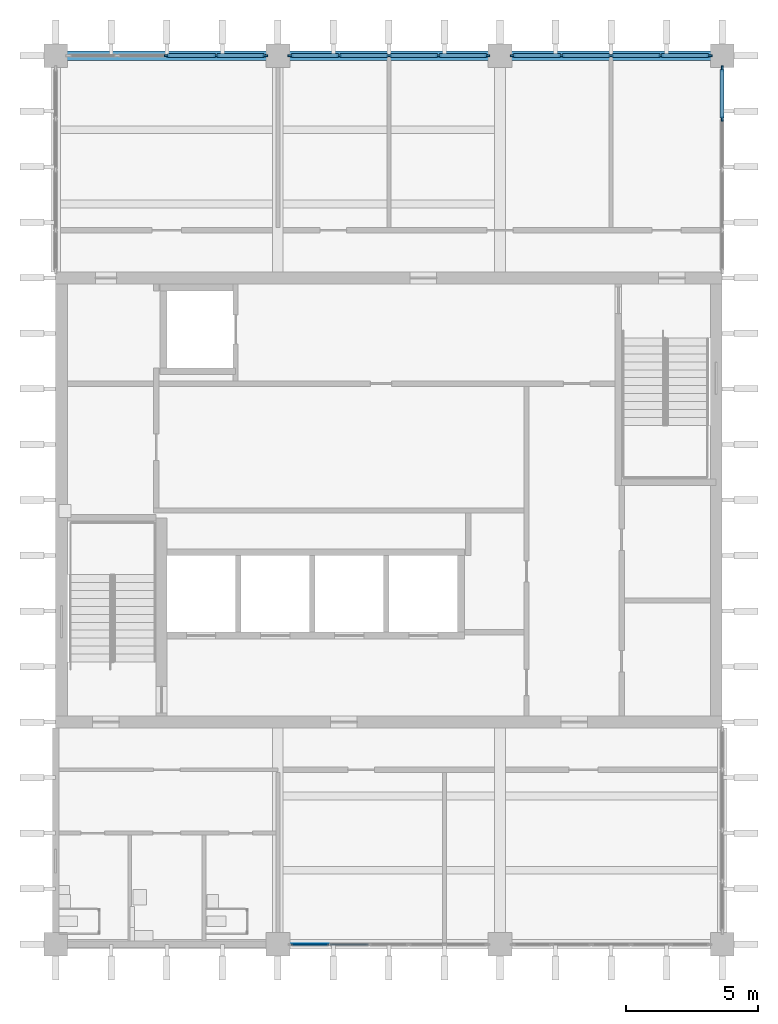
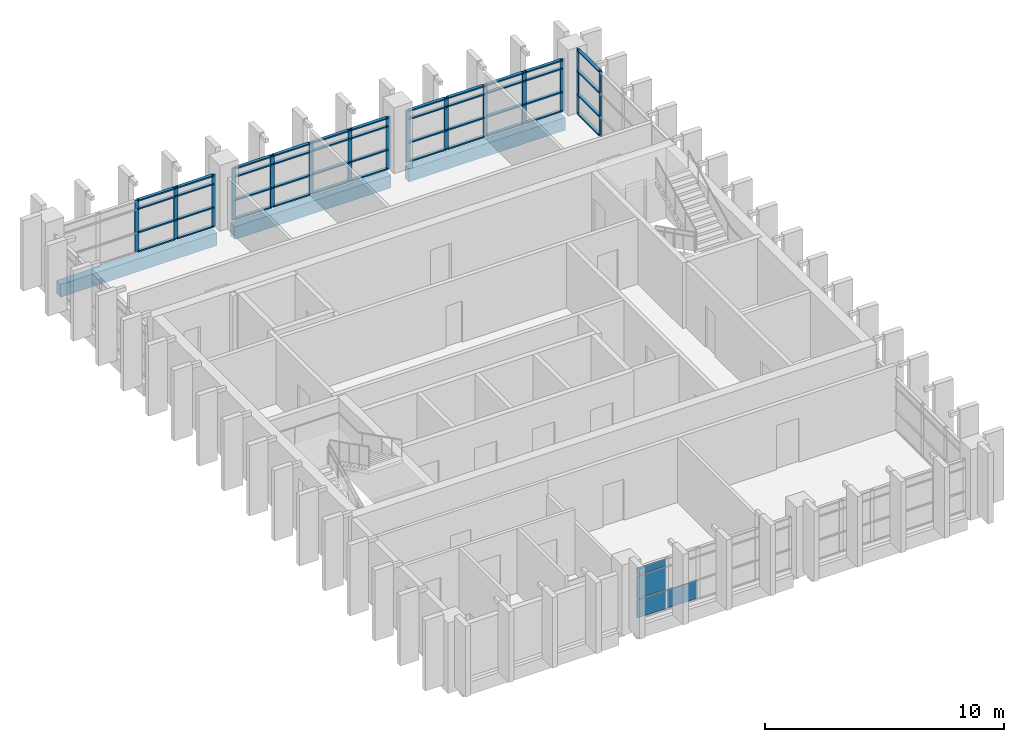
# One storey, part 4 of 10: 59 members, 4 plates, 3 beams, 5 elements without a shape of their own.
"""IFC4 building model written with IfcOpenShell, lengths in metres."""

from ifc_helpers import new_model, si_unit, direction, frame, origin, origin_2d, place, context, subcontext, project, spatial, rectangle, extrude, material, layer, layer_set, material_profile, profile_set, type_object, element, aggregate, save


model = new_model("IFC4")

# Units and contexts
model_context = context("Model", 3, precision=1e-05, world=origin(), true_north=direction((0.0, 1.0)))
body_context = subcontext(model_context, "Body", "Model", "MODEL_VIEW")
ifc_project = project(units=[si_unit("LENGTHUNIT", "METRE"), si_unit("AREAUNIT", "SQUARE_METRE"), si_unit("VOLUMEUNIT", "CUBIC_METRE"), si_unit("PLANEANGLEUNIT", "RADIAN"), si_unit("MASSUNIT", "GRAM", prefix="KILO")], contexts=[model_context])

# Site, building, storey
site_placement = place(None, origin())
site = spatial("IfcSite", under=ifc_project, at=site_placement, CompositionType="ELEMENT")
building_placement = place(site_placement, origin())
building = spatial("IfcBuilding", under=site, at=building_placement, Name="Rulbaag Community and Learning Centre", CompositionType="ELEMENT")
storey_placement = place(building_placement, frame((0.0, 0.0, 28.800048828125)))
storey = spatial("IfcBuildingStorey", under=building, at=storey_placement, Name="L07", CompositionType="ELEMENT", Elevation=28.800048828125)

# Beams
ifc_material_1 = material(Name="Concrete M40", Category="concrete")
ifc_material_profile_1 = material_profile(ifc_material_1, rectangle(XDim=0.35009765625, YDim=0.64990234375, at=origin_2d()), Name="RB350x650")
ifc_profile_set_1 = profile_set([ifc_material_profile_1], Name="Concrete M40")
beam_type = type_object("IfcBeamType", Name="B14 Tower edge beam, upper zone 350x650 Concrete M40", PredefinedType="BEAM", material=ifc_profile_set_1)
for number, where, z_axis, x_axis, name in (
    (1, (143.22998046875, 117.60009765625, -0.574951171875), (1.0, 0.0, 0.0), (0.0, 1.0, 0.0), "BM-L07-18O-19O"),
    (2, (151.6298828125, 117.60009765625, -0.574951171875), (1.0, 0.0, 0.0), (0.0, 1.0, 0.0), "BM-L07-19O-20O"),
    (3, (160.030029296875, 117.60009765625, -0.574951171875), (1.0, 0.0, 0.0), (0.0, 1.0, 0.0), "BM-L07-20O-21O"),
):
    element("IfcBeam", number, at=place(storey_placement, frame(where, z_axis=z_axis, x_axis=x_axis)), inside=storey, type_object=beam_type, Name=name, PredefinedType="BEAM", context=body_context, shape_type="SweptSolid", body=[
        extrude(rectangle(XDim=0.35009765625, YDim=0.64990234375, at=origin_2d()), origin(), (0.0, 0.0, 1.0), 7.5400390625),
    ])

# Curtain wall, members
ifc_material_2 = material(Name="Aluminium", Category="aluminium")
ifc_layer_1 = layer(ifc_material_2, 0.14990234375)
ifc_layer_set_1 = layer_set([ifc_layer_1], Name="CW-T")
curtain_wall_type_1 = type_object("IfcCurtainWallType", Name="CW-T", PredefinedType="USERDEFINED", material=ifc_layer_set_1)
curtain_wall_1_placement = place(storey_placement, origin())
curtain_wall_1 = element("IfcCurtainWall", 4, at=curtain_wall_1_placement, inside=storey, type_object=curtain_wall_type_1, Name="GT-L07-01", ObjectType="UNITISED CURTAIN WALL", PredefinedType="USERDEFINED")
ifc_material_3 = material(Name="Aluminium mullion", Category="aluminium")
ifc_material_profile_2 = material_profile(ifc_material_3, rectangle(XDim=0.06494140625, YDim=0.199951171875, at=origin_2d()), Name="AL 65x200")
ifc_profile_set_2 = profile_set([ifc_material_profile_2], Name="Aluminium mullion")
member_type_1 = type_object("IfcMemberType", Name="CW-T-MUL", PredefinedType="MULLION", material=ifc_profile_set_2)
member_1_placement = place(storey_placement, frame((147.0, 117.60009765625, 0.0), z_axis=(0.0, 0.0, 1.0), x_axis=(0.0, 1.0, 0.0)))
member_1 = element("IfcMember", 5, at=member_1_placement, type_object=member_type_1, Name="GT mullion 3", PredefinedType="MULLION", context=body_context, shape_type="SweptSolid", body=[
    extrude(rectangle(XDim=0.06494140625, YDim=0.199951171875, at=origin_2d()), origin(), (0.0, 0.0, 1.0), 2.64990234375),
])
member_2_placement = place(storey_placement, frame((148.875, 117.60009765625, 0.0), z_axis=(0.0, 0.0, 1.0), x_axis=(0.0, 1.0, 0.0)))
member_2 = element("IfcMember", 6, at=member_2_placement, type_object=member_type_1, Name="GT mullion 4", PredefinedType="MULLION", context=body_context, shape_type="SweptSolid", body=[
    extrude(rectangle(XDim=0.06494140625, YDim=0.199951171875, at=origin_2d()), origin(), (0.0, 0.0, 1.0), 2.64990234375),
])
member_3_placement = place(storey_placement, frame((150.717529296875, 117.60009765625, 0.0), z_axis=(0.0, 0.0, 1.0), x_axis=(0.0, 1.0, 0.0)))
member_3 = element("IfcMember", 7, at=member_3_placement, type_object=member_type_1, Name="GT mullion 5", PredefinedType="MULLION", context=body_context, shape_type="SweptSolid", body=[
    extrude(rectangle(XDim=0.06494140625, YDim=0.199951171875, at=origin_2d()), origin(), (0.0, 0.0, 1.0), 2.64990234375),
])

curtain_wall_2_placement = place(storey_placement, origin())
curtain_wall_2 = element("IfcCurtainWall", 8, at=curtain_wall_2_placement, inside=storey, type_object=curtain_wall_type_1, Name="GT-L07-02", ObjectType="UNITISED CURTAIN WALL", PredefinedType="USERDEFINED")
member_4_placement = place(storey_placement, frame((151.6826171875, 117.60009765625, 0.0), z_axis=(0.0, 0.0, 1.0), x_axis=(0.0, 1.0, 0.0)))
member_4 = element("IfcMember", 9, at=member_4_placement, type_object=member_type_1, Name="GT mullion 1", PredefinedType="MULLION", context=body_context, shape_type="SweptSolid", body=[
    extrude(rectangle(XDim=0.06494140625, YDim=0.199951171875, at=origin_2d()), origin(), (0.0, 0.0, 1.0), 2.64990234375),
])
member_5_placement = place(storey_placement, frame((153.52490234375, 117.60009765625, 0.0), z_axis=(0.0, 0.0, 1.0), x_axis=(0.0, 1.0, 0.0)))
member_5 = element("IfcMember", 10, at=member_5_placement, type_object=member_type_1, Name="GT mullion 2", PredefinedType="MULLION", context=body_context, shape_type="SweptSolid", body=[
    extrude(rectangle(XDim=0.06494140625, YDim=0.199951171875, at=origin_2d()), origin(), (0.0, 0.0, 1.0), 2.64990234375),
])
member_6_placement = place(storey_placement, frame((155.39990234375, 117.60009765625, 0.0), z_axis=(0.0, 0.0, 1.0), x_axis=(0.0, 1.0, 0.0)))
member_6 = element("IfcMember", 11, at=member_6_placement, type_object=member_type_1, Name="GT mullion 3", PredefinedType="MULLION", context=body_context, shape_type="SweptSolid", body=[
    extrude(rectangle(XDim=0.06494140625, YDim=0.199951171875, at=origin_2d()), origin(), (0.0, 0.0, 1.0), 2.64990234375),
])
member_7_placement = place(storey_placement, frame((157.27490234375, 117.60009765625, 0.0), z_axis=(0.0, 0.0, 1.0), x_axis=(0.0, 1.0, 0.0)))
member_7 = element("IfcMember", 12, at=member_7_placement, type_object=member_type_1, Name="GT mullion 4", PredefinedType="MULLION", context=body_context, shape_type="SweptSolid", body=[
    extrude(rectangle(XDim=0.06494140625, YDim=0.199951171875, at=origin_2d()), origin(), (0.0, 0.0, 1.0), 2.64990234375),
])
member_8_placement = place(storey_placement, frame((159.117431640625, 117.60009765625, 0.0), z_axis=(0.0, 0.0, 1.0), x_axis=(0.0, 1.0, 0.0)))
member_8 = element("IfcMember", 13, at=member_8_placement, type_object=member_type_1, Name="GT mullion 5", PredefinedType="MULLION", context=body_context, shape_type="SweptSolid", body=[
    extrude(rectangle(XDim=0.06494140625, YDim=0.199951171875, at=origin_2d()), origin(), (0.0, 0.0, 1.0), 2.64990234375),
])

curtain_wall_3_placement = place(storey_placement, origin())
curtain_wall_3 = element("IfcCurtainWall", 14, at=curtain_wall_3_placement, inside=storey, type_object=curtain_wall_type_1, Name="GT-L07-03", ObjectType="UNITISED CURTAIN WALL", PredefinedType="USERDEFINED")
member_9_placement = place(storey_placement, frame((160.08251953125, 117.60009765625, 0.0), z_axis=(0.0, 0.0, 1.0), x_axis=(0.0, 1.0, 0.0)))
member_9 = element("IfcMember", 15, at=member_9_placement, type_object=member_type_1, Name="GT mullion 1", PredefinedType="MULLION", context=body_context, shape_type="SweptSolid", body=[
    extrude(rectangle(XDim=0.06494140625, YDim=0.199951171875, at=origin_2d()), origin(), (0.0, 0.0, 1.0), 2.64990234375),
])
member_10_placement = place(storey_placement, frame((161.925048828125, 117.60009765625, 0.0), z_axis=(0.0, 0.0, 1.0), x_axis=(0.0, 1.0, 0.0)))
member_10 = element("IfcMember", 16, at=member_10_placement, type_object=member_type_1, Name="GT mullion 2", PredefinedType="MULLION", context=body_context, shape_type="SweptSolid", body=[
    extrude(rectangle(XDim=0.06494140625, YDim=0.199951171875, at=origin_2d()), origin(), (0.0, 0.0, 1.0), 2.64990234375),
])
member_11_placement = place(storey_placement, frame((163.800048828125, 117.60009765625, 0.0), z_axis=(0.0, 0.0, 1.0), x_axis=(0.0, 1.0, 0.0)))
member_11 = element("IfcMember", 17, at=member_11_placement, type_object=member_type_1, Name="GT mullion 3", PredefinedType="MULLION", context=body_context, shape_type="SweptSolid", body=[
    extrude(rectangle(XDim=0.06494140625, YDim=0.199951171875, at=origin_2d()), origin(), (0.0, 0.0, 1.0), 2.64990234375),
])
member_12_placement = place(storey_placement, frame((165.675048828125, 117.60009765625, 0.0), z_axis=(0.0, 0.0, 1.0), x_axis=(0.0, 1.0, 0.0)))
member_12 = element("IfcMember", 18, at=member_12_placement, type_object=member_type_1, Name="GT mullion 4", PredefinedType="MULLION", context=body_context, shape_type="SweptSolid", body=[
    extrude(rectangle(XDim=0.06494140625, YDim=0.199951171875, at=origin_2d()), origin(), (0.0, 0.0, 1.0), 2.64990234375),
])
member_13_placement = place(storey_placement, frame((167.517578125, 117.60009765625, 0.0), z_axis=(0.0, 0.0, 1.0), x_axis=(0.0, 1.0, 0.0)))
member_13 = element("IfcMember", 19, at=member_13_placement, type_object=member_type_1, Name="GT mullion 5", PredefinedType="MULLION", context=body_context, shape_type="SweptSolid", body=[
    extrude(rectangle(XDim=0.06494140625, YDim=0.199951171875, at=origin_2d()), origin(), (0.0, 0.0, 1.0), 2.64990234375),
])

curtain_wall_4_placement = place(storey_placement, origin())
curtain_wall_4 = element("IfcCurtainWall", 20, at=curtain_wall_4_placement, inside=storey, type_object=curtain_wall_type_1, Name="GT-L07-06", ObjectType="UNITISED CURTAIN WALL", PredefinedType="USERDEFINED")
member_14_placement = place(storey_placement, frame((168.0, 115.21875, 0.0), z_axis=(0.0, 0.0, 1.0), x_axis=(-1.0, 0.0, 0.0)))
member_14 = element("IfcMember", 21, at=member_14_placement, type_object=member_type_1, Name="GT mullion 4", PredefinedType="MULLION", context=body_context, shape_type="SweptSolid", body=[
    extrude(rectangle(XDim=0.06494140625, YDim=0.199951171875, at=origin_2d()), origin(), (0.0, 0.0, 1.0), 3.300048828125),
])
member_15_placement = place(storey_placement, frame((168.0, 117.117431640625, 0.0), z_axis=(0.0, 0.0, 1.0), x_axis=(-1.0, 0.0, 0.0)))
member_15 = element("IfcMember", 22, at=member_15_placement, type_object=member_type_1, Name="GT mullion 5", PredefinedType="MULLION", context=body_context, shape_type="SweptSolid", body=[
    extrude(rectangle(XDim=0.06494140625, YDim=0.199951171875, at=origin_2d()), origin(), (0.0, 0.0, 1.0), 3.300048828125),
])

# Member
ifc_material_4 = material(Name="Aluminium transom", Category="aluminium")
ifc_material_profile_3 = material_profile(ifc_material_4, rectangle(XDim=0.14990234375, YDim=0.06494140625, at=origin_2d()), Name="AL 65x150 T")
ifc_profile_set_3 = profile_set([ifc_material_profile_3], Name="Aluminium transom")
member_type_2 = type_object("IfcMemberType", Name="CW-T-TRN", PredefinedType="USERDEFINED", material=ifc_profile_set_3)
member_16_placement = place(storey_placement, frame((147.032470703125, 117.60009765625, 0.032470703125), z_axis=(1.0, 0.0, 0.0), x_axis=(0.0, 1.0, 0.0)))
member_16 = element("IfcMember", 23, at=member_16_placement, type_object=member_type_2, Name="GT transom 3.1", ObjectType="TRANSOM", PredefinedType="USERDEFINED", context=body_context, shape_type="SweptSolid", body=[
    extrude(rectangle(XDim=0.14990234375, YDim=0.06494140625, at=origin_2d()), origin(), (0.0, 0.0, 1.0), 1.81005859375),
])

member_17_placement = place(storey_placement, frame((147.032470703125, 117.60009765625, 1.0), z_axis=(1.0, 0.0, 0.0), x_axis=(0.0, 1.0, 0.0)))
member_17 = element("IfcMember", 24, at=member_17_placement, type_object=member_type_2, Name="GT transom 3.2", ObjectType="TRANSOM", PredefinedType="USERDEFINED", context=body_context, shape_type="SweptSolid", body=[
    extrude(rectangle(XDim=0.14990234375, YDim=0.06494140625, at=origin_2d()), origin(), (0.0, 0.0, 1.0), 1.81005859375),
])

member_18_placement = place(storey_placement, frame((147.032470703125, 117.60009765625, 2.199951171875), z_axis=(1.0, 0.0, 0.0), x_axis=(0.0, 1.0, 0.0)))
member_18 = element("IfcMember", 25, at=member_18_placement, type_object=member_type_2, Name="GT transom 3.3", ObjectType="TRANSOM", PredefinedType="USERDEFINED", context=body_context, shape_type="SweptSolid", body=[
    extrude(rectangle(XDim=0.14990234375, YDim=0.06494140625, at=origin_2d()), origin(), (0.0, 0.0, 1.0), 1.81005859375),
])

member_19_placement = place(storey_placement, frame((147.032470703125, 117.60009765625, 2.617431640625), z_axis=(1.0, 0.0, 0.0), x_axis=(0.0, 1.0, 0.0)))
member_19 = element("IfcMember", 26, at=member_19_placement, type_object=member_type_2, Name="GT transom 3.4", ObjectType="TRANSOM", PredefinedType="USERDEFINED", context=body_context, shape_type="SweptSolid", body=[
    extrude(rectangle(XDim=0.14990234375, YDim=0.06494140625, at=origin_2d()), origin(), (0.0, 0.0, 1.0), 1.81005859375),
])

member_20_placement = place(storey_placement, frame((148.907470703125, 117.60009765625, 0.032470703125), z_axis=(1.0, 0.0, 0.0), x_axis=(0.0, 1.0, 0.0)))
member_20 = element("IfcMember", 27, at=member_20_placement, type_object=member_type_2, Name="GT transom 4.1", ObjectType="TRANSOM", PredefinedType="USERDEFINED", context=body_context, shape_type="SweptSolid", body=[
    extrude(rectangle(XDim=0.14990234375, YDim=0.06494140625, at=origin_2d()), origin(), (0.0, 0.0, 1.0), 1.777587890625),
])

member_21_placement = place(storey_placement, frame((148.907470703125, 117.60009765625, 1.0), z_axis=(1.0, 0.0, 0.0), x_axis=(0.0, 1.0, 0.0)))
member_21 = element("IfcMember", 28, at=member_21_placement, type_object=member_type_2, Name="GT transom 4.2", ObjectType="TRANSOM", PredefinedType="USERDEFINED", context=body_context, shape_type="SweptSolid", body=[
    extrude(rectangle(XDim=0.14990234375, YDim=0.06494140625, at=origin_2d()), origin(), (0.0, 0.0, 1.0), 1.777587890625),
])

member_22_placement = place(storey_placement, frame((148.907470703125, 117.60009765625, 2.199951171875), z_axis=(1.0, 0.0, 0.0), x_axis=(0.0, 1.0, 0.0)))
member_22 = element("IfcMember", 29, at=member_22_placement, type_object=member_type_2, Name="GT transom 4.3", ObjectType="TRANSOM", PredefinedType="USERDEFINED", context=body_context, shape_type="SweptSolid", body=[
    extrude(rectangle(XDim=0.14990234375, YDim=0.06494140625, at=origin_2d()), origin(), (0.0, 0.0, 1.0), 1.777587890625),
])

member_23_placement = place(storey_placement, frame((148.907470703125, 117.60009765625, 2.617431640625), z_axis=(1.0, 0.0, 0.0), x_axis=(0.0, 1.0, 0.0)))
member_23 = element("IfcMember", 30, at=member_23_placement, type_object=member_type_2, Name="GT transom 4.4", ObjectType="TRANSOM", PredefinedType="USERDEFINED", context=body_context, shape_type="SweptSolid", body=[
    extrude(rectangle(XDim=0.14990234375, YDim=0.06494140625, at=origin_2d()), origin(), (0.0, 0.0, 1.0), 1.777587890625),
])

aggregate(curtain_wall_1, [member_1, member_2, member_3, member_16, member_17, member_18, member_19, member_20, member_21, member_22, member_23])

member_24_placement = place(storey_placement, frame((151.715087890625, 117.60009765625, 0.032470703125), z_axis=(1.0, 0.0, 0.0), x_axis=(0.0, 1.0, 0.0)))
member_24 = element("IfcMember", 31, at=member_24_placement, type_object=member_type_2, Name="GT transom 1.1", ObjectType="TRANSOM", PredefinedType="USERDEFINED", context=body_context, shape_type="SweptSolid", body=[
    extrude(rectangle(XDim=0.14990234375, YDim=0.06494140625, at=origin_2d()), origin(), (0.0, 0.0, 1.0), 1.77734375),
])

member_25_placement = place(storey_placement, frame((151.715087890625, 117.60009765625, 1.0), z_axis=(1.0, 0.0, 0.0), x_axis=(0.0, 1.0, 0.0)))
member_25 = element("IfcMember", 32, at=member_25_placement, type_object=member_type_2, Name="GT transom 1.2", ObjectType="TRANSOM", PredefinedType="USERDEFINED", context=body_context, shape_type="SweptSolid", body=[
    extrude(rectangle(XDim=0.14990234375, YDim=0.06494140625, at=origin_2d()), origin(), (0.0, 0.0, 1.0), 1.77734375),
])

member_26_placement = place(storey_placement, frame((151.715087890625, 117.60009765625, 2.199951171875), z_axis=(1.0, 0.0, 0.0), x_axis=(0.0, 1.0, 0.0)))
member_26 = element("IfcMember", 33, at=member_26_placement, type_object=member_type_2, Name="GT transom 1.3", ObjectType="TRANSOM", PredefinedType="USERDEFINED", context=body_context, shape_type="SweptSolid", body=[
    extrude(rectangle(XDim=0.14990234375, YDim=0.06494140625, at=origin_2d()), origin(), (0.0, 0.0, 1.0), 1.77734375),
])

member_27_placement = place(storey_placement, frame((151.715087890625, 117.60009765625, 2.617431640625), z_axis=(1.0, 0.0, 0.0), x_axis=(0.0, 1.0, 0.0)))
member_27 = element("IfcMember", 34, at=member_27_placement, type_object=member_type_2, Name="GT transom 1.4", ObjectType="TRANSOM", PredefinedType="USERDEFINED", context=body_context, shape_type="SweptSolid", body=[
    extrude(rectangle(XDim=0.14990234375, YDim=0.06494140625, at=origin_2d()), origin(), (0.0, 0.0, 1.0), 1.77734375),
])

member_28_placement = place(storey_placement, frame((153.5576171875, 117.60009765625, 0.032470703125), z_axis=(1.0, 0.0, 0.0), x_axis=(0.0, 1.0, 0.0)))
member_28 = element("IfcMember", 35, at=member_28_placement, type_object=member_type_2, Name="GT transom 2.1", ObjectType="TRANSOM", PredefinedType="USERDEFINED", context=body_context, shape_type="SweptSolid", body=[
    extrude(rectangle(XDim=0.14990234375, YDim=0.06494140625, at=origin_2d()), origin(), (0.0, 0.0, 1.0), 1.809814453125),
])

member_29_placement = place(storey_placement, frame((153.5576171875, 117.60009765625, 1.0), z_axis=(1.0, 0.0, 0.0), x_axis=(0.0, 1.0, 0.0)))
member_29 = element("IfcMember", 36, at=member_29_placement, type_object=member_type_2, Name="GT transom 2.2", ObjectType="TRANSOM", PredefinedType="USERDEFINED", context=body_context, shape_type="SweptSolid", body=[
    extrude(rectangle(XDim=0.14990234375, YDim=0.06494140625, at=origin_2d()), origin(), (0.0, 0.0, 1.0), 1.809814453125),
])

member_30_placement = place(storey_placement, frame((153.5576171875, 117.60009765625, 2.199951171875), z_axis=(1.0, 0.0, 0.0), x_axis=(0.0, 1.0, 0.0)))
member_30 = element("IfcMember", 37, at=member_30_placement, type_object=member_type_2, Name="GT transom 2.3", ObjectType="TRANSOM", PredefinedType="USERDEFINED", context=body_context, shape_type="SweptSolid", body=[
    extrude(rectangle(XDim=0.14990234375, YDim=0.06494140625, at=origin_2d()), origin(), (0.0, 0.0, 1.0), 1.809814453125),
])

member_31_placement = place(storey_placement, frame((153.5576171875, 117.60009765625, 2.617431640625), z_axis=(1.0, 0.0, 0.0), x_axis=(0.0, 1.0, 0.0)))
member_31 = element("IfcMember", 38, at=member_31_placement, type_object=member_type_2, Name="GT transom 2.4", ObjectType="TRANSOM", PredefinedType="USERDEFINED", context=body_context, shape_type="SweptSolid", body=[
    extrude(rectangle(XDim=0.14990234375, YDim=0.06494140625, at=origin_2d()), origin(), (0.0, 0.0, 1.0), 1.809814453125),
])

member_32_placement = place(storey_placement, frame((155.4326171875, 117.60009765625, 0.032470703125), z_axis=(1.0, 0.0, 0.0), x_axis=(0.0, 1.0, 0.0)))
member_32 = element("IfcMember", 39, at=member_32_placement, type_object=member_type_2, Name="GT transom 3.1", ObjectType="TRANSOM", PredefinedType="USERDEFINED", context=body_context, shape_type="SweptSolid", body=[
    extrude(rectangle(XDim=0.14990234375, YDim=0.06494140625, at=origin_2d()), origin(), (0.0, 0.0, 1.0), 1.809814453125),
])

member_33_placement = place(storey_placement, frame((155.4326171875, 117.60009765625, 1.0), z_axis=(1.0, 0.0, 0.0), x_axis=(0.0, 1.0, 0.0)))
member_33 = element("IfcMember", 40, at=member_33_placement, type_object=member_type_2, Name="GT transom 3.2", ObjectType="TRANSOM", PredefinedType="USERDEFINED", context=body_context, shape_type="SweptSolid", body=[
    extrude(rectangle(XDim=0.14990234375, YDim=0.06494140625, at=origin_2d()), origin(), (0.0, 0.0, 1.0), 1.809814453125),
])

member_34_placement = place(storey_placement, frame((155.4326171875, 117.60009765625, 2.199951171875), z_axis=(1.0, 0.0, 0.0), x_axis=(0.0, 1.0, 0.0)))
member_34 = element("IfcMember", 41, at=member_34_placement, type_object=member_type_2, Name="GT transom 3.3", ObjectType="TRANSOM", PredefinedType="USERDEFINED", context=body_context, shape_type="SweptSolid", body=[
    extrude(rectangle(XDim=0.14990234375, YDim=0.06494140625, at=origin_2d()), origin(), (0.0, 0.0, 1.0), 1.809814453125),
])

member_35_placement = place(storey_placement, frame((155.4326171875, 117.60009765625, 2.617431640625), z_axis=(1.0, 0.0, 0.0), x_axis=(0.0, 1.0, 0.0)))
member_35 = element("IfcMember", 42, at=member_35_placement, type_object=member_type_2, Name="GT transom 3.4", ObjectType="TRANSOM", PredefinedType="USERDEFINED", context=body_context, shape_type="SweptSolid", body=[
    extrude(rectangle(XDim=0.14990234375, YDim=0.06494140625, at=origin_2d()), origin(), (0.0, 0.0, 1.0), 1.809814453125),
])

member_36_placement = place(storey_placement, frame((157.3076171875, 117.60009765625, 0.032470703125), z_axis=(1.0, 0.0, 0.0), x_axis=(0.0, 1.0, 0.0)))
member_36 = element("IfcMember", 43, at=member_36_placement, type_object=member_type_2, Name="GT transom 4.1", ObjectType="TRANSOM", PredefinedType="USERDEFINED", context=body_context, shape_type="SweptSolid", body=[
    extrude(rectangle(XDim=0.14990234375, YDim=0.06494140625, at=origin_2d()), origin(), (0.0, 0.0, 1.0), 1.77734375),
])

member_37_placement = place(storey_placement, frame((157.3076171875, 117.60009765625, 1.0), z_axis=(1.0, 0.0, 0.0), x_axis=(0.0, 1.0, 0.0)))
member_37 = element("IfcMember", 44, at=member_37_placement, type_object=member_type_2, Name="GT transom 4.2", ObjectType="TRANSOM", PredefinedType="USERDEFINED", context=body_context, shape_type="SweptSolid", body=[
    extrude(rectangle(XDim=0.14990234375, YDim=0.06494140625, at=origin_2d()), origin(), (0.0, 0.0, 1.0), 1.77734375),
])

member_38_placement = place(storey_placement, frame((157.3076171875, 117.60009765625, 2.199951171875), z_axis=(1.0, 0.0, 0.0), x_axis=(0.0, 1.0, 0.0)))
member_38 = element("IfcMember", 45, at=member_38_placement, type_object=member_type_2, Name="GT transom 4.3", ObjectType="TRANSOM", PredefinedType="USERDEFINED", context=body_context, shape_type="SweptSolid", body=[
    extrude(rectangle(XDim=0.14990234375, YDim=0.06494140625, at=origin_2d()), origin(), (0.0, 0.0, 1.0), 1.77734375),
])

member_39_placement = place(storey_placement, frame((157.3076171875, 117.60009765625, 2.617431640625), z_axis=(1.0, 0.0, 0.0), x_axis=(0.0, 1.0, 0.0)))
member_39 = element("IfcMember", 46, at=member_39_placement, type_object=member_type_2, Name="GT transom 4.4", ObjectType="TRANSOM", PredefinedType="USERDEFINED", context=body_context, shape_type="SweptSolid", body=[
    extrude(rectangle(XDim=0.14990234375, YDim=0.06494140625, at=origin_2d()), origin(), (0.0, 0.0, 1.0), 1.77734375),
])

aggregate(curtain_wall_2, [member_4, member_5, member_6, member_7, member_8, member_24, member_25, member_26, member_27, member_28, member_29, member_30, member_31, member_32, member_33, member_34, member_35, member_36, member_37, member_38, member_39])

member_40_placement = place(storey_placement, frame((160.114990234375, 117.60009765625, 0.032470703125), z_axis=(1.0, 0.0, 0.0), x_axis=(0.0, 1.0, 0.0)))
member_40 = element("IfcMember", 47, at=member_40_placement, type_object=member_type_2, Name="GT transom 1.1", ObjectType="TRANSOM", PredefinedType="USERDEFINED", context=body_context, shape_type="SweptSolid", body=[
    extrude(rectangle(XDim=0.14990234375, YDim=0.06494140625, at=origin_2d()), origin(), (0.0, 0.0, 1.0), 1.777587890625),
])

member_41_placement = place(storey_placement, frame((160.114990234375, 117.60009765625, 1.0), z_axis=(1.0, 0.0, 0.0), x_axis=(0.0, 1.0, 0.0)))
member_41 = element("IfcMember", 48, at=member_41_placement, type_object=member_type_2, Name="GT transom 1.2", ObjectType="TRANSOM", PredefinedType="USERDEFINED", context=body_context, shape_type="SweptSolid", body=[
    extrude(rectangle(XDim=0.14990234375, YDim=0.06494140625, at=origin_2d()), origin(), (0.0, 0.0, 1.0), 1.777587890625),
])

member_42_placement = place(storey_placement, frame((160.114990234375, 117.60009765625, 2.199951171875), z_axis=(1.0, 0.0, 0.0), x_axis=(0.0, 1.0, 0.0)))
member_42 = element("IfcMember", 49, at=member_42_placement, type_object=member_type_2, Name="GT transom 1.3", ObjectType="TRANSOM", PredefinedType="USERDEFINED", context=body_context, shape_type="SweptSolid", body=[
    extrude(rectangle(XDim=0.14990234375, YDim=0.06494140625, at=origin_2d()), origin(), (0.0, 0.0, 1.0), 1.777587890625),
])

member_43_placement = place(storey_placement, frame((160.114990234375, 117.60009765625, 2.617431640625), z_axis=(1.0, 0.0, 0.0), x_axis=(0.0, 1.0, 0.0)))
member_43 = element("IfcMember", 50, at=member_43_placement, type_object=member_type_2, Name="GT transom 1.4", ObjectType="TRANSOM", PredefinedType="USERDEFINED", context=body_context, shape_type="SweptSolid", body=[
    extrude(rectangle(XDim=0.14990234375, YDim=0.06494140625, at=origin_2d()), origin(), (0.0, 0.0, 1.0), 1.777587890625),
])

member_44_placement = place(storey_placement, frame((161.95751953125, 117.60009765625, 0.032470703125), z_axis=(1.0, 0.0, 0.0), x_axis=(0.0, 1.0, 0.0)))
member_44 = element("IfcMember", 51, at=member_44_placement, type_object=member_type_2, Name="GT transom 2.1", ObjectType="TRANSOM", PredefinedType="USERDEFINED", context=body_context, shape_type="SweptSolid", body=[
    extrude(rectangle(XDim=0.14990234375, YDim=0.06494140625, at=origin_2d()), origin(), (0.0, 0.0, 1.0), 1.81005859375),
])

member_45_placement = place(storey_placement, frame((161.95751953125, 117.60009765625, 1.0), z_axis=(1.0, 0.0, 0.0), x_axis=(0.0, 1.0, 0.0)))
member_45 = element("IfcMember", 52, at=member_45_placement, type_object=member_type_2, Name="GT transom 2.2", ObjectType="TRANSOM", PredefinedType="USERDEFINED", context=body_context, shape_type="SweptSolid", body=[
    extrude(rectangle(XDim=0.14990234375, YDim=0.06494140625, at=origin_2d()), origin(), (0.0, 0.0, 1.0), 1.81005859375),
])

member_46_placement = place(storey_placement, frame((161.95751953125, 117.60009765625, 2.199951171875), z_axis=(1.0, 0.0, 0.0), x_axis=(0.0, 1.0, 0.0)))
member_46 = element("IfcMember", 53, at=member_46_placement, type_object=member_type_2, Name="GT transom 2.3", ObjectType="TRANSOM", PredefinedType="USERDEFINED", context=body_context, shape_type="SweptSolid", body=[
    extrude(rectangle(XDim=0.14990234375, YDim=0.06494140625, at=origin_2d()), origin(), (0.0, 0.0, 1.0), 1.81005859375),
])

member_47_placement = place(storey_placement, frame((161.95751953125, 117.60009765625, 2.617431640625), z_axis=(1.0, 0.0, 0.0), x_axis=(0.0, 1.0, 0.0)))
member_47 = element("IfcMember", 54, at=member_47_placement, type_object=member_type_2, Name="GT transom 2.4", ObjectType="TRANSOM", PredefinedType="USERDEFINED", context=body_context, shape_type="SweptSolid", body=[
    extrude(rectangle(XDim=0.14990234375, YDim=0.06494140625, at=origin_2d()), origin(), (0.0, 0.0, 1.0), 1.81005859375),
])

member_48_placement = place(storey_placement, frame((163.83251953125, 117.60009765625, 0.032470703125), z_axis=(1.0, 0.0, 0.0), x_axis=(0.0, 1.0, 0.0)))
member_48 = element("IfcMember", 55, at=member_48_placement, type_object=member_type_2, Name="GT transom 3.1", ObjectType="TRANSOM", PredefinedType="USERDEFINED", context=body_context, shape_type="SweptSolid", body=[
    extrude(rectangle(XDim=0.14990234375, YDim=0.06494140625, at=origin_2d()), origin(), (0.0, 0.0, 1.0), 1.81005859375),
])

member_49_placement = place(storey_placement, frame((163.83251953125, 117.60009765625, 1.0), z_axis=(1.0, 0.0, 0.0), x_axis=(0.0, 1.0, 0.0)))
member_49 = element("IfcMember", 56, at=member_49_placement, type_object=member_type_2, Name="GT transom 3.2", ObjectType="TRANSOM", PredefinedType="USERDEFINED", context=body_context, shape_type="SweptSolid", body=[
    extrude(rectangle(XDim=0.14990234375, YDim=0.06494140625, at=origin_2d()), origin(), (0.0, 0.0, 1.0), 1.81005859375),
])

member_50_placement = place(storey_placement, frame((163.83251953125, 117.60009765625, 2.199951171875), z_axis=(1.0, 0.0, 0.0), x_axis=(0.0, 1.0, 0.0)))
member_50 = element("IfcMember", 57, at=member_50_placement, type_object=member_type_2, Name="GT transom 3.3", ObjectType="TRANSOM", PredefinedType="USERDEFINED", context=body_context, shape_type="SweptSolid", body=[
    extrude(rectangle(XDim=0.14990234375, YDim=0.06494140625, at=origin_2d()), origin(), (0.0, 0.0, 1.0), 1.81005859375),
])

member_51_placement = place(storey_placement, frame((163.83251953125, 117.60009765625, 2.617431640625), z_axis=(1.0, 0.0, 0.0), x_axis=(0.0, 1.0, 0.0)))
member_51 = element("IfcMember", 58, at=member_51_placement, type_object=member_type_2, Name="GT transom 3.4", ObjectType="TRANSOM", PredefinedType="USERDEFINED", context=body_context, shape_type="SweptSolid", body=[
    extrude(rectangle(XDim=0.14990234375, YDim=0.06494140625, at=origin_2d()), origin(), (0.0, 0.0, 1.0), 1.81005859375),
])

member_52_placement = place(storey_placement, frame((165.70751953125, 117.60009765625, 0.032470703125), z_axis=(1.0, 0.0, 0.0), x_axis=(0.0, 1.0, 0.0)))
member_52 = element("IfcMember", 59, at=member_52_placement, type_object=member_type_2, Name="GT transom 4.1", ObjectType="TRANSOM", PredefinedType="USERDEFINED", context=body_context, shape_type="SweptSolid", body=[
    extrude(rectangle(XDim=0.14990234375, YDim=0.06494140625, at=origin_2d()), origin(), (0.0, 0.0, 1.0), 1.777587890625),
])

member_53_placement = place(storey_placement, frame((165.70751953125, 117.60009765625, 1.0), z_axis=(1.0, 0.0, 0.0), x_axis=(0.0, 1.0, 0.0)))
member_53 = element("IfcMember", 60, at=member_53_placement, type_object=member_type_2, Name="GT transom 4.2", ObjectType="TRANSOM", PredefinedType="USERDEFINED", context=body_context, shape_type="SweptSolid", body=[
    extrude(rectangle(XDim=0.14990234375, YDim=0.06494140625, at=origin_2d()), origin(), (0.0, 0.0, 1.0), 1.777587890625),
])

member_54_placement = place(storey_placement, frame((165.70751953125, 117.60009765625, 2.199951171875), z_axis=(1.0, 0.0, 0.0), x_axis=(0.0, 1.0, 0.0)))
member_54 = element("IfcMember", 61, at=member_54_placement, type_object=member_type_2, Name="GT transom 4.3", ObjectType="TRANSOM", PredefinedType="USERDEFINED", context=body_context, shape_type="SweptSolid", body=[
    extrude(rectangle(XDim=0.14990234375, YDim=0.06494140625, at=origin_2d()), origin(), (0.0, 0.0, 1.0), 1.777587890625),
])

member_55_placement = place(storey_placement, frame((165.70751953125, 117.60009765625, 2.617431640625), z_axis=(1.0, 0.0, 0.0), x_axis=(0.0, 1.0, 0.0)))
member_55 = element("IfcMember", 62, at=member_55_placement, type_object=member_type_2, Name="GT transom 4.4", ObjectType="TRANSOM", PredefinedType="USERDEFINED", context=body_context, shape_type="SweptSolid", body=[
    extrude(rectangle(XDim=0.14990234375, YDim=0.06494140625, at=origin_2d()), origin(), (0.0, 0.0, 1.0), 1.777587890625),
])

aggregate(curtain_wall_3, [member_9, member_10, member_11, member_12, member_13, member_40, member_41, member_42, member_43, member_44, member_45, member_46, member_47, member_48, member_49, member_50, member_51, member_52, member_53, member_54, member_55])

member_56_placement = place(storey_placement, frame((168.0, 115.251220703125, 0.032470703125), z_axis=(0.0, 1.0, 0.0), x_axis=(-1.0, 0.0, 0.0)))
member_56 = element("IfcMember", 63, at=member_56_placement, type_object=member_type_2, Name="GT transom 4.1", ObjectType="TRANSOM", PredefinedType="USERDEFINED", context=body_context, shape_type="SweptSolid", body=[
    extrude(rectangle(XDim=0.14990234375, YDim=0.06494140625, at=origin_2d()), origin(), (0.0, 0.0, 1.0), 1.833740234375),
])

member_57_placement = place(storey_placement, frame((168.0, 115.251220703125, 1.0), z_axis=(0.0, 1.0, 0.0), x_axis=(-1.0, 0.0, 0.0)))
member_57 = element("IfcMember", 64, at=member_57_placement, type_object=member_type_2, Name="GT transom 4.2", ObjectType="TRANSOM", PredefinedType="USERDEFINED", context=body_context, shape_type="SweptSolid", body=[
    extrude(rectangle(XDim=0.14990234375, YDim=0.06494140625, at=origin_2d()), origin(), (0.0, 0.0, 1.0), 1.833740234375),
])

member_58_placement = place(storey_placement, frame((168.0, 115.251220703125, 2.199951171875), z_axis=(0.0, 1.0, 0.0), x_axis=(-1.0, 0.0, 0.0)))
member_58 = element("IfcMember", 65, at=member_58_placement, type_object=member_type_2, Name="GT transom 4.3", ObjectType="TRANSOM", PredefinedType="USERDEFINED", context=body_context, shape_type="SweptSolid", body=[
    extrude(rectangle(XDim=0.14990234375, YDim=0.06494140625, at=origin_2d()), origin(), (0.0, 0.0, 1.0), 1.833740234375),
])

member_59_placement = place(storey_placement, frame((168.0, 115.251220703125, 3.267333984375), z_axis=(0.0, 1.0, 0.0), x_axis=(-1.0, 0.0, 0.0)))
member_59 = element("IfcMember", 66, at=member_59_placement, type_object=member_type_2, Name="GT transom 4.4", ObjectType="TRANSOM", PredefinedType="USERDEFINED", context=body_context, shape_type="SweptSolid", body=[
    extrude(rectangle(XDim=0.14990234375, YDim=0.06494140625, at=origin_2d()), origin(), (0.0, 0.0, 1.0), 1.833740234375),
])

aggregate(curtain_wall_4, [member_14, member_15, member_56, member_57, member_58, member_59])

# Curtain wall, plates
ifc_layer_2 = layer(ifc_material_2, 0.14990234375)
ifc_layer_set_2 = layer_set([ifc_layer_2], Name="CW-S")
curtain_wall_type_2 = type_object("IfcCurtainWallType", Name="CW-S", PredefinedType="USERDEFINED", material=ifc_layer_set_2)
curtain_wall_5_placement = place(storey_placement, origin())
curtain_wall_5 = element("IfcCurtainWall", 67, at=curtain_wall_5_placement, inside=storey, type_object=curtain_wall_type_2, Name="GS-L07-01", ObjectType="UNITISED CURTAIN WALL", PredefinedType="USERDEFINED")
ifc_layer_3 = layer(ifc_material_2, 0.054931640625)
ifc_layer_set_3 = layer_set([ifc_layer_3], Name="CW-S-SPN")
plate_type_1 = type_object("IfcPlateType", Name="CW-S-SPN", PredefinedType="CURTAIN_PANEL", material=ifc_layer_set_3)
plate_1_placement = place(storey_placement, frame((152.4150390625, 84.0, 0.06005859375), z_axis=(0.0, 0.0, 1.0), x_axis=(1.0, 0.0, 0.0)))
plate_1 = element("IfcPlate", 68, at=plate_1_placement, type_object=plate_type_1, Name="GS spandrel panel", PredefinedType="CURTAIN_PANEL", context=body_context, shape_type="SweptSolid", body=[
    extrude(rectangle(XDim=1.409912109375, YDim=0.054931640625, at=origin_2d()), origin(), (0.0, 0.0, 1.0), 0.909912109375),
])
plate_2_placement = place(storey_placement, frame((152.4150390625, 84.0, 2.22998046875), z_axis=(0.0, 0.0, 1.0), x_axis=(1.0, 0.0, 0.0)))
plate_2 = element("IfcPlate", 69, at=plate_2_placement, type_object=plate_type_1, Name="GS spandrel panel", PredefinedType="CURTAIN_PANEL", context=body_context, shape_type="SweptSolid", body=[
    extrude(rectangle(XDim=1.409912109375, YDim=0.054931640625, at=origin_2d()), origin(), (0.0, 0.0, 1.0), 0.360107421875),
])
plate_3_placement = place(storey_placement, frame((153.89990234375, 84.0, 0.06005859375), z_axis=(0.0, 0.0, 1.0), x_axis=(1.0, 0.0, 0.0)))
plate_3 = element("IfcPlate", 70, at=plate_3_placement, type_object=plate_type_1, Name="GS spandrel panel", PredefinedType="CURTAIN_PANEL", context=body_context, shape_type="SweptSolid", body=[
    extrude(rectangle(XDim=1.43994140625, YDim=0.054931640625, at=origin_2d()), origin(), (0.0, 0.0, 1.0), 0.909912109375),
])
ifc_material_5 = material(Name="Glass", Category="glass")
ifc_layer_4 = layer(ifc_material_5, 0.030029296875)
ifc_layer_set_4 = layer_set([ifc_layer_4], Name="CW-S-VIS")
plate_type_2 = type_object("IfcPlateType", Name="CW-S-VIS", PredefinedType="CURTAIN_PANEL", material=ifc_layer_set_4)
plate_4_placement = place(storey_placement, frame((152.4150390625, 84.0, 1.02978515625), z_axis=(0.0, 0.0, 1.0), x_axis=(1.0, 0.0, 0.0)))
plate_4 = element("IfcPlate", 71, at=plate_4_placement, type_object=plate_type_2, Name="GS vision panel", PredefinedType="CURTAIN_PANEL", context=body_context, shape_type="SweptSolid", body=[
    extrude(rectangle(XDim=1.409912109375, YDim=0.030029296875, at=origin_2d()), origin(), (0.0, 0.0, 1.0), 1.139892578125),
])
aggregate(curtain_wall_5, [plate_1, plate_4, plate_2, plate_3])

save(model, "model.ifc")
